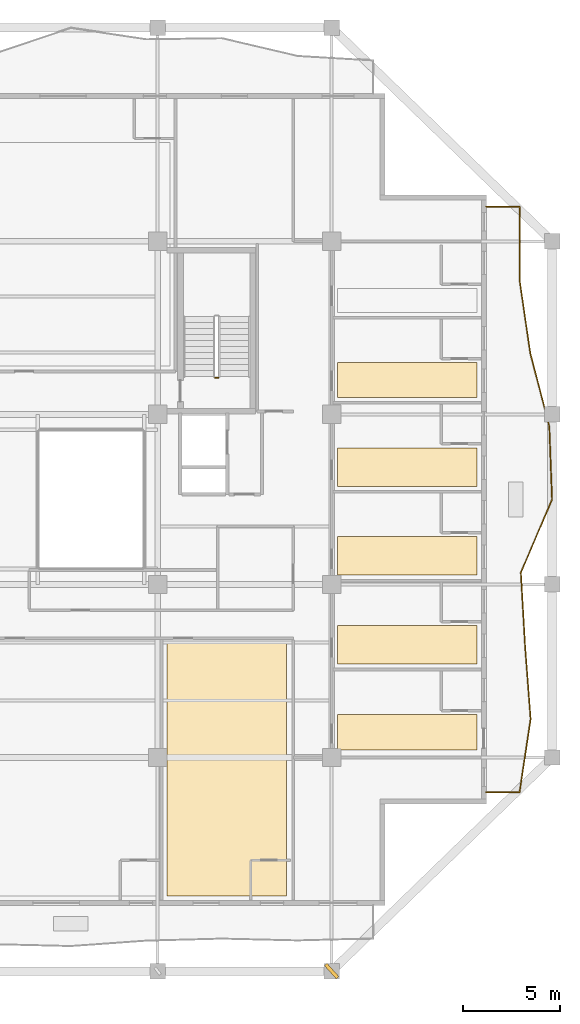
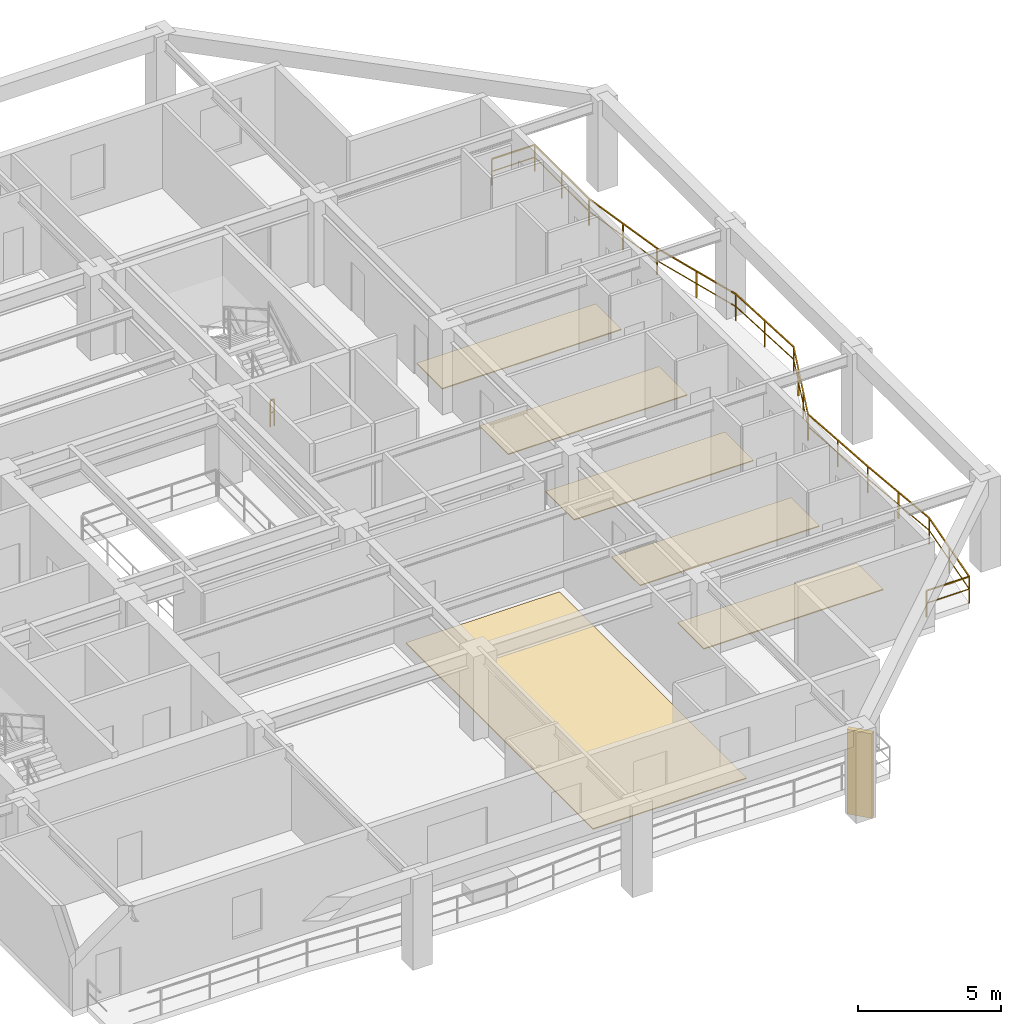
# One storey, part 10 of 13: 6 coverings, 2 railings, 1 shading device.
"""IFC4 building model written with IfcOpenShell, lengths in metres."""

from ifc_helpers import new_model, si_unit, direction, frame, origin, origin_2d, place, context, subcontext, project, spatial, polyline, rectangle, outline, extrude, material, layer, layer_set, type_object, element, save


model = new_model("IFC4")

# Units and contexts
model_context = context("Model", 3, precision=1e-05, world=origin(), true_north=direction((0.0, 1.0)))
body_context = subcontext(model_context, "Body", "Model", "MODEL_VIEW")
ifc_project = project(units=[si_unit("LENGTHUNIT", "METRE"), si_unit("AREAUNIT", "SQUARE_METRE"), si_unit("VOLUMEUNIT", "CUBIC_METRE"), si_unit("PLANEANGLEUNIT", "RADIAN"), si_unit("MASSUNIT", "GRAM", prefix="KILO")], contexts=[model_context])

# Site, building, storey
site_placement = place(None, origin())
site = spatial("IfcSite", under=ifc_project, at=site_placement, CompositionType="ELEMENT")
building_placement = place(site_placement, origin())
building = spatial("IfcBuilding", under=site, at=building_placement, Name="Kundavana Baori Tower", CompositionType="ELEMENT")
storey_placement = place(building_placement, frame((0.0, 0.0, 192.550048828125)))
storey = spatial("IfcBuildingStorey", under=building, at=storey_placement, Name="L47", CompositionType="ELEMENT", Elevation=192.550048828125)

# Coverings
ifc_material_1 = material(Name="Honed Kota Stone and Terrazzo Flooring", Category="masonry")
ifc_layer = layer(ifc_material_1, 0.0400390625, Name="COV-FLR-TERR-40")
ifc_layer_set = layer_set([ifc_layer], Name="Honed Kota Stone and Terrazzo Flooring")
covering_type = type_object("IfcCoveringType", Name="COV-FLR-TERR-40", PredefinedType="FLOORING", material=ifc_layer_set)
covering_1_placement = place(storey_placement, origin())
element("IfcCovering", 1, at=covering_1_placement, inside=storey, type_object=covering_type, Name="L47 Room Finished Stone Flooring 3", PredefinedType="FLOORING", context=body_context, shape_type="SweptSolid", body=[
    extrude(outline(polyline([(34.280029296875, 8.080078125), (40.4599609375, 8.080078125), (40.4599609375, 21.139892578125), (34.280029296875, 21.139892578125), (34.280029296875, 8.080078125)])), origin(), (0.0, 0.0, 1.0), 0.0400390625),
])
covering_2_placement = place(storey_placement, origin())
element("IfcCovering", 2, at=covering_2_placement, inside=storey, type_object=covering_type, Name="L47 Room Finished Stone Flooring 4", PredefinedType="FLOORING", context=body_context, shape_type="SweptSolid", body=[
    extrude(outline(polyline([(43.10009765625, 15.6298828125), (50.320068359375, 15.6298828125), (50.320068359375, 17.469970703125), (43.10009765625, 17.469970703125), (43.10009765625, 15.6298828125)])), origin(), (0.0, 0.0, 1.0), 0.0400390625),
])
covering_3_placement = place(storey_placement, origin())
element("IfcCovering", 3, at=covering_3_placement, inside=storey, type_object=covering_type, Name="L47 Room Finished Stone Flooring 5", PredefinedType="FLOORING", context=body_context, shape_type="SweptSolid", body=[
    extrude(outline(polyline([(43.10009765625, 20.080078125), (50.320068359375, 20.080078125), (50.320068359375, 22.070068359375), (43.10009765625, 22.070068359375), (43.10009765625, 20.080078125)])), origin(), (0.0, 0.0, 1.0), 0.0400390625),
])
covering_4_placement = place(storey_placement, origin())
element("IfcCovering", 4, at=covering_4_placement, inside=storey, type_object=covering_type, Name="L47 Room Finished Stone Flooring 6", PredefinedType="FLOORING", context=body_context, shape_type="SweptSolid", body=[
    extrude(outline(polyline([(43.10009765625, 24.679931640625), (50.320068359375, 24.679931640625), (50.320068359375, 26.669921875), (43.10009765625, 26.669921875), (43.10009765625, 24.679931640625)])), origin(), (0.0, 0.0, 1.0), 0.0400390625),
])
covering_5_placement = place(storey_placement, origin())
element("IfcCovering", 5, at=covering_5_placement, inside=storey, type_object=covering_type, Name="L47 Room Finished Stone Flooring 7", PredefinedType="FLOORING", context=body_context, shape_type="SweptSolid", body=[
    extrude(outline(polyline([(43.10009765625, 29.280029296875), (50.320068359375, 29.280029296875), (50.320068359375, 31.27001953125), (43.10009765625, 31.27001953125), (43.10009765625, 29.280029296875)])), origin(), (0.0, 0.0, 1.0), 0.0400390625),
])
covering_6_placement = place(storey_placement, origin())
element("IfcCovering", 6, at=covering_6_placement, inside=storey, type_object=covering_type, Name="L47 Room Finished Stone Flooring 8", PredefinedType="FLOORING", context=body_context, shape_type="SweptSolid", body=[
    extrude(outline(polyline([(43.10009765625, 33.8798828125), (50.320068359375, 33.8798828125), (50.320068359375, 35.669921875), (43.10009765625, 35.669921875), (43.10009765625, 33.8798828125)])), origin(), (0.0, 0.0, 1.0), 0.0400390625),
])

# Railings
ifc_material_2 = material(Name="Architectural Patinated Bronze Metalwork")
railing_type_1 = type_object("IfcRailingType", Name="RL-BAL-1150", PredefinedType="BALUSTRADE", material=ifc_material_2)
railing_1_placement = place(storey_placement, frame((50.800048828125, 43.75, 0.0)))
element("IfcRailing", 7, at=railing_1_placement, inside=storey, type_object=railing_type_1, Name="L47 Loggia Balcony Balustrade E", PredefinedType="BALUSTRADE", context=body_context, shape_type="SweptSolid", body=[
    extrude(rectangle(XDim=0.048095703125, YDim=0.048095703125, at=origin_2d()), frame((0.0, 0.0, 1.1259765625), z_axis=(1.0, 0.0, 0.0), x_axis=(0.0, 1.0, 0.0)), (0.0, 0.0, 1.0), 1.719970703125),
    extrude(rectangle(XDim=0.03125, YDim=0.03125, at=origin_2d()), frame((0.0, 0.0, 0.597900390625), z_axis=(1.0, 0.0, 0.0), x_axis=(0.0, 1.0, 0.0)), (0.0, 0.0, 1.0), 1.719970703125),
    extrude(rectangle(XDim=0.048095703125, YDim=0.048095703125, at=origin_2d()), frame((1.719970703125, 0.0, 1.1259765625), z_axis=(0.0, -1.0, 0.0), x_axis=(1.0, 0.0, 0.0)), (0.0, 0.0, 1.0), 3.7880859375),
    extrude(rectangle(XDim=0.03125, YDim=0.03125, at=origin_2d()), frame((1.719970703125, 0.0, 0.597900390625), z_axis=(0.0, -1.0, 0.0), x_axis=(1.0, 0.0, 0.0)), (0.0, 0.0, 1.0), 3.7880859375),
    extrude(rectangle(XDim=0.048095703125, YDim=0.048095703125, at=origin_2d()), frame((1.719970703125, -3.7880859375, 1.1259765625), z_axis=(0.144742818996, -0.989469310464, 0.0), x_axis=(0.989469310464, 0.144742818996, 0.0)), (0.0, 0.0, 1.0), 3.8271484375),
    extrude(rectangle(XDim=0.03125, YDim=0.03125, at=origin_2d()), frame((1.719970703125, -3.7880859375, 0.597900390625), z_axis=(0.144742818996, -0.989469310464, 0.0), x_axis=(0.989469310464, 0.144742818996, 0.0)), (0.0, 0.0, 1.0), 3.8271484375),
    extrude(rectangle(XDim=0.048095703125, YDim=0.048095703125, at=origin_2d()), frame((2.27392578125, -7.574951171875, 1.1259765625), z_axis=(0.251743716415, -0.967793935322, 0.0), x_axis=(0.967793935322, 0.251743716415, 0.0)), (0.0, 0.0, 1.0), 3.9130859375),
    extrude(rectangle(XDim=0.03125, YDim=0.03125, at=origin_2d()), frame((2.27392578125, -7.574951171875, 0.597900390625), z_axis=(0.251743716415, -0.967793935322, 0.0), x_axis=(0.967793935322, 0.251743716415, 0.0)), (0.0, 0.0, 1.0), 3.9130859375),
    extrude(rectangle(XDim=0.048095703125, YDim=0.048095703125, at=origin_2d()), frame((3.259033203125, -11.362060546875, 1.1259765625), z_axis=(0.037164124663, -0.9993091753, 0.0), x_axis=(0.9993091753, 0.037164124663, 0.0)), (0.0, 0.0, 1.0), 3.79052734375),
    extrude(rectangle(XDim=0.03125, YDim=0.03125, at=origin_2d()), frame((3.259033203125, -11.362060546875, 0.597900390625), z_axis=(0.037164124663, -0.9993091753, 0.0), x_axis=(0.9993091753, 0.037164124663, 0.0)), (0.0, 0.0, 1.0), 3.79052734375),
    extrude(rectangle(XDim=0.048095703125, YDim=0.048095703125, at=origin_2d()), frame((3.39990234375, -15.14990234375, 1.1259765625), z_axis=(-0.391326505536, -0.920251903592, 0.0), x_axis=(0.920251903592, -0.391326505536, 0.0)), (0.0, 0.0, 1.0), 4.116455078125),
    extrude(rectangle(XDim=0.03125, YDim=0.03125, at=origin_2d()), frame((3.39990234375, -15.14990234375, 0.597900390625), z_axis=(-0.391326505536, -0.920251903592, 0.0), x_axis=(0.920251903592, -0.391326505536, 0.0)), (0.0, 0.0, 1.0), 4.116455078125),
    extrude(rectangle(XDim=0.048095703125, YDim=0.048095703125, at=origin_2d()), frame((1.7890625, -18.93798828125, 1.1259765625), z_axis=(0.057152432435, -0.998365463879, 0.0), x_axis=(0.998365463879, 0.057152432435, 0.0)), (0.0, 0.0, 1.0), 3.793212890625),
    extrude(rectangle(XDim=0.03125, YDim=0.03125, at=origin_2d()), frame((1.7890625, -18.93798828125, 0.597900390625), z_axis=(0.057152432435, -0.998365463879, 0.0), x_axis=(0.998365463879, 0.057152432435, 0.0)), (0.0, 0.0, 1.0), 3.793212890625),
    extrude(rectangle(XDim=0.048095703125, YDim=0.048095703125, at=origin_2d()), frame((2.005859375, -22.72509765625, 1.1259765625), z_axis=(0.075855855639, -0.997118793908, 0.0), x_axis=(0.997118793908, 0.075855855639, 0.0)), (0.0, 0.0, 1.0), 3.7978515625),
    extrude(rectangle(XDim=0.03125, YDim=0.03125, at=origin_2d()), frame((2.005859375, -22.72509765625, 0.597900390625), z_axis=(0.075855855639, -0.997118793908, 0.0), x_axis=(0.997118793908, 0.075855855639, 0.0)), (0.0, 0.0, 1.0), 3.7978515625),
    extrude(rectangle(XDim=0.048095703125, YDim=0.048095703125, at=origin_2d()), frame((2.2939453125, -26.511962890625, 1.1259765625), z_axis=(-0.149811042356, -0.988714646189, 0.0), x_axis=(0.988714646189, -0.149811042356, 0.0)), (0.0, 0.0, 1.0), 3.831298828125),
    extrude(rectangle(XDim=0.03125, YDim=0.03125, at=origin_2d()), frame((2.2939453125, -26.511962890625, 0.597900390625), z_axis=(-0.149811042356, -0.988714646189, 0.0), x_axis=(0.988714646189, -0.149811042356, 0.0)), (0.0, 0.0, 1.0), 3.831298828125),
    extrude(rectangle(XDim=0.048095703125, YDim=0.048095703125, at=origin_2d()), frame((1.719970703125, -30.300048828125, 1.1259765625), z_axis=(-1.0, 0.0, 0.0), x_axis=(0.0, -1.0, 0.0)), (0.0, 0.0, 1.0), 1.719970703125),
    extrude(rectangle(XDim=0.03125, YDim=0.03125, at=origin_2d()), frame((1.719970703125, -30.300048828125, 0.597900390625), z_axis=(-1.0, 0.0, 0.0), x_axis=(0.0, -1.0, 0.0)), (0.0, 0.0, 1.0), 1.719970703125),
    extrude(rectangle(XDim=0.0419921875, YDim=0.0419921875, at=origin_2d()), origin(), (0.0, 0.0, 1.0), 1.101806640625),
    extrude(rectangle(XDim=0.0419921875, YDim=0.0419921875, at=origin_2d()), frame((1.719970703125, 0.0, 0.0)), (0.0, 0.0, 1.0), 1.101806640625),
    extrude(rectangle(XDim=0.0419921875, YDim=0.0419921875, at=origin_2d()), frame((1.719970703125, -1.89404296875, 0.0)), (0.0, 0.0, 1.0), 1.101806640625),
    extrude(rectangle(XDim=0.0419921875, YDim=0.0419921875, at=origin_2d()), frame((1.719970703125, -3.7880859375, 0.0)), (0.0, 0.0, 1.0), 1.101806640625),
    extrude(rectangle(XDim=0.0419921875, YDim=0.0419921875, at=origin_2d()), frame((1.9970703125, -5.681640625, 0.0)), (0.0, 0.0, 1.0), 1.101806640625),
    extrude(rectangle(XDim=0.0419921875, YDim=0.0419921875, at=origin_2d()), frame((2.27392578125, -7.574951171875, 0.0)), (0.0, 0.0, 1.0), 1.101806640625),
    extrude(rectangle(XDim=0.0419921875, YDim=0.0419921875, at=origin_2d()), frame((2.7666015625, -9.468505859375, 0.0)), (0.0, 0.0, 1.0), 1.101806640625),
    extrude(rectangle(XDim=0.0419921875, YDim=0.0419921875, at=origin_2d()), frame((3.259033203125, -11.362060546875, 0.0)), (0.0, 0.0, 1.0), 1.101806640625),
    extrude(rectangle(XDim=0.0419921875, YDim=0.0419921875, at=origin_2d()), frame((3.32958984375, -13.255859375, 0.0)), (0.0, 0.0, 1.0), 1.101806640625),
    extrude(rectangle(XDim=0.0419921875, YDim=0.0419921875, at=origin_2d()), frame((3.39990234375, -15.14990234375, 0.0)), (0.0, 0.0, 1.0), 1.101806640625),
    extrude(rectangle(XDim=0.0419921875, YDim=0.0419921875, at=origin_2d()), frame((2.863037109375, -16.41259765625, 0.0)), (0.0, 0.0, 1.0), 1.101806640625),
    extrude(rectangle(XDim=0.0419921875, YDim=0.0419921875, at=origin_2d()), frame((2.325927734375, -17.67529296875, 0.0)), (0.0, 0.0, 1.0), 1.101806640625),
    extrude(rectangle(XDim=0.0419921875, YDim=0.0419921875, at=origin_2d()), frame((1.7890625, -18.93798828125, 0.0)), (0.0, 0.0, 1.0), 1.101806640625),
    extrude(rectangle(XDim=0.0419921875, YDim=0.0419921875, at=origin_2d()), frame((1.8974609375, -20.83154296875, 0.0)), (0.0, 0.0, 1.0), 1.101806640625),
    extrude(rectangle(XDim=0.0419921875, YDim=0.0419921875, at=origin_2d()), frame((2.005859375, -22.72509765625, 0.0)), (0.0, 0.0, 1.0), 1.101806640625),
    extrude(rectangle(XDim=0.0419921875, YDim=0.0419921875, at=origin_2d()), frame((2.14990234375, -24.61865234375, 0.0)), (0.0, 0.0, 1.0), 1.101806640625),
    extrude(rectangle(XDim=0.0419921875, YDim=0.0419921875, at=origin_2d()), frame((2.2939453125, -26.511962890625, 0.0)), (0.0, 0.0, 1.0), 1.101806640625),
    extrude(rectangle(XDim=0.0419921875, YDim=0.0419921875, at=origin_2d()), frame((2.0068359375, -28.406005859375, 0.0)), (0.0, 0.0, 1.0), 1.101806640625),
    extrude(rectangle(XDim=0.0419921875, YDim=0.0419921875, at=origin_2d()), frame((1.719970703125, -30.300048828125, 0.0)), (0.0, 0.0, 1.0), 1.101806640625),
    extrude(rectangle(XDim=0.0419921875, YDim=0.0419921875, at=origin_2d()), frame((0.0, -30.300048828125, 0.0)), (0.0, 0.0, 1.0), 1.101806640625),
])
ifc_material_3 = material(Name="Architectural Patinated Bronze Metalwork")
railing_type_2 = type_object("IfcRailingType", Name="RL-GRD-1150", PredefinedType="GUARDRAIL", material=ifc_material_3)
railing_2_placement = place(storey_placement, frame((36.929931640625, 34.89990234375, 0.0)))
element("IfcRailing", 8, at=railing_2_placement, inside=storey, type_object=railing_type_2, Name="L47 ST3 stair guard 4", PredefinedType="GUARDRAIL", context=body_context, shape_type="SweptSolid", body=[
    extrude(rectangle(XDim=0.048095703125, YDim=0.048095703125, at=origin_2d()), frame((0.0, 0.0, 1.1259765625), z_axis=(-1.0, 0.0, 0.0), x_axis=(0.0, -1.0, 0.0)), (0.0, 0.0, 1.0), 0.159912109375),
    extrude(rectangle(XDim=0.03125, YDim=0.03125, at=origin_2d()), frame((0.0, 0.0, 0.597900390625), z_axis=(-1.0, 0.0, 0.0), x_axis=(0.0, -1.0, 0.0)), (0.0, 0.0, 1.0), 0.159912109375),
    extrude(rectangle(XDim=0.0419921875, YDim=0.0419921875, at=origin_2d()), origin(), (0.0, 0.0, 1.0), 1.101806640625),
    extrude(rectangle(XDim=0.0419921875, YDim=0.0419921875, at=origin_2d()), frame((-0.159912109375, 0.0, 0.0)), (0.0, 0.0, 1.0), 1.101806640625),
])

# Shading device
ifc_material_4 = material(Name="Red-Buff Dholpur Sandstone Cladding on Concrete C40/50", Category="masonry")
shading_device_type = type_object("IfcShadingDeviceType", Name="SHD-FIN-920", PredefinedType="JALOUSIE", material=ifc_material_4)
shading_device_placement = place(storey_placement, frame((42.800048828125, 4.199951171875, 0.0), z_axis=(0.0, 0.0, 1.0), x_axis=(0.743144825477, 0.669130606359, 0.0)))
element("IfcShadingDevice", 9, at=shading_device_placement, inside=storey, type_object=shading_device_type, Name="L47 Sweeping Dholpur Sandstone Facade Fin 4", PredefinedType="JALOUSIE", context=body_context, shape_type="SweptSolid", body=[
    extrude(rectangle(XDim=0.179931640625, YDim=0.919921875, at=origin_2d()), origin(), (0.0, 0.0, 1.0), 3.60009765625),
])

save(model, "model.ifc")
